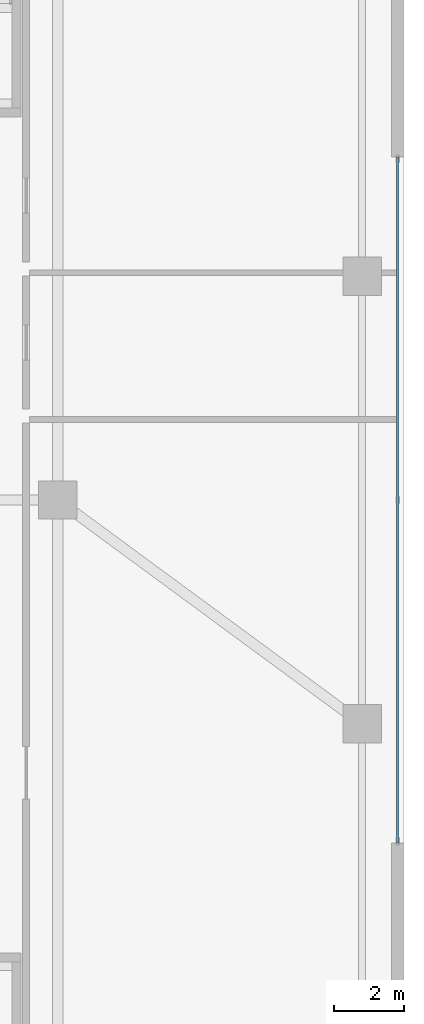
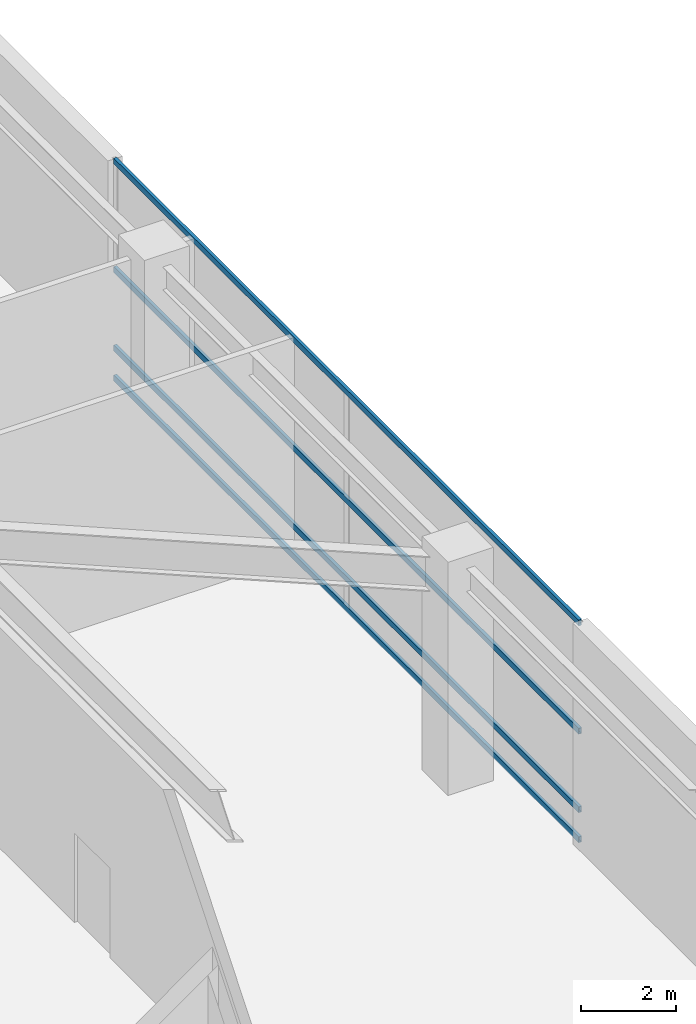
# One storey, part 30 of 39: 4 members, 1 element without a shape of its own.
"""IFC4 building model written with IfcOpenShell, lengths in metres."""

from ifc_helpers import new_model, si_unit, direction, frame, origin, origin_2d, place, context, subcontext, project, spatial, hollow_rectangle, extrude, source, transform, mapped, material, layer, layer_set, material_profile, profile_set, type_object, element, aggregate, save


model = new_model("IFC4")

# Units and contexts
model_context = context("Model", 3, precision=1e-05, world=origin(), true_north=direction((0.0, 1.0)))
body_context = subcontext(model_context, "Body", "Model", "MODEL_VIEW")
ifc_project = project(units=[si_unit("LENGTHUNIT", "METRE"), si_unit("AREAUNIT", "SQUARE_METRE"), si_unit("VOLUMEUNIT", "CUBIC_METRE"), si_unit("PLANEANGLEUNIT", "RADIAN"), si_unit("MASSUNIT", "GRAM", prefix="KILO"), si_unit("THERMODYNAMICTEMPERATUREUNIT", "KELVIN"), si_unit("POWERUNIT", "WATT")], contexts=[model_context])

# Site, building, storey
site_placement = place(None, origin())
site = spatial("IfcSite", under=ifc_project, at=site_placement, CompositionType="ELEMENT")
building_placement = place(site_placement, origin())
building = spatial("IfcBuilding", under=site, at=building_placement, Name="Yuzanri Waterfront Tower", CompositionType="ELEMENT")
storey_placement = place(building_placement, frame((0.0, 0.0, 19.800048828125)))
storey = spatial("IfcBuildingStorey", under=building, at=storey_placement, Name="L05", CompositionType="ELEMENT", Elevation=19.800048828125)

# Curtain wall, members
ifc_material_1 = material(Name="Anodized Architectural Bronze", Category="metal")
ifc_layer = layer(ifc_material_1, 0.159912109375)
ifc_layer_set = layer_set([ifc_layer], Name="Anodized Architectural Bronze")
curtain_wall_type = type_object("IfcCurtainWallType", Name="Anodized Bronze Podium Waterfront Double-Height Unitized Curtain Wall 8400", PredefinedType="NOTDEFINED", material=ifc_layer_set)
curtain_wall_placement = place(storey_placement, origin())
curtain_wall = element("IfcCurtainWall", 1, at=curtain_wall_placement, inside=storey, type_object=curtain_wall_type, Name="L05 Curtain Wall CW-L05-E", PredefinedType="NOTDEFINED")
ifc_material_2 = material(Name="Anodized Architectural Bronze", Category="metal")
ifc_material_profile = material_profile(ifc_material_2, hollow_rectangle(XDim=0.074951171875, YDim=0.14990234375, WallThickness=0.00390625, at=origin_2d()), Name="CWT 75x150")
ifc_profile_set = profile_set([ifc_material_profile], Name="Anodized Architectural Bronze")
member_type = type_object("IfcMemberType", Name="Anodized Bronze Primary Curtain-Wall Transom 75x150", PredefinedType="USERDEFINED", material=ifc_profile_set)
shared_shape = source(origin(), body_context, "Body", "SweptSolid", [
    extrude(hollow_rectangle(XDim=0.074951171875, YDim=0.14990234375, WallThickness=0.00390625, at=origin_2d()), origin(), (0.0, 0.0, 1.0), 19.60009765625),
])
member_1_placement = place(storey_placement, frame((71.820068359375, 16.0, 0.050048828125), z_axis=(0.0, 1.0, 0.0), x_axis=(-1.0, 0.0, 0.0)))
member_1 = element("IfcMember", 2, at=member_1_placement, type_object=member_type, Name="CW-L05-E Transom 1", ObjectType="TRANSOM", PredefinedType="USERDEFINED", context=body_context, shape_type="MappedRepresentation", body=[
    mapped(shared_shape, transform((0.0, 0.0, 0.0), scale=1.0)),
])
member_2_placement = place(storey_placement, frame((71.820068359375, 16.0, 0.820068359375), z_axis=(0.0, 1.0, 0.0), x_axis=(-1.0, 0.0, 0.0)))
member_2 = element("IfcMember", 3, at=member_2_placement, type_object=member_type, Name="CW-L05-E Transom 2", ObjectType="TRANSOM", PredefinedType="USERDEFINED", context=body_context, shape_type="MappedRepresentation", body=[
    mapped(shared_shape, transform((0.0, 0.0, 0.0), scale=1.0)),
])
member_3_placement = place(storey_placement, frame((71.820068359375, 16.0, 2.83984375), z_axis=(0.0, 1.0, 0.0), x_axis=(-1.0, 0.0, 0.0)))
member_3 = element("IfcMember", 4, at=member_3_placement, type_object=member_type, Name="CW-L05-E Transom 3", ObjectType="TRANSOM", PredefinedType="USERDEFINED", context=body_context, shape_type="MappedRepresentation", body=[
    mapped(shared_shape, transform((0.0, 0.0, 0.0), scale=1.0)),
])
member_4_placement = place(storey_placement, frame((71.820068359375, 16.0, 5.6298828125), z_axis=(0.0, 1.0, 0.0), x_axis=(-1.0, 0.0, 0.0)))
member_4 = element("IfcMember", 5, at=member_4_placement, type_object=member_type, Name="CW-L05-E Transom 4", ObjectType="TRANSOM", PredefinedType="USERDEFINED", context=body_context, shape_type="MappedRepresentation", body=[
    mapped(shared_shape, transform((0.0, 0.0, 0.0), scale=1.0)),
])
aggregate(curtain_wall, [member_1, member_2, member_3, member_4])

save(model, "model.ifc")
